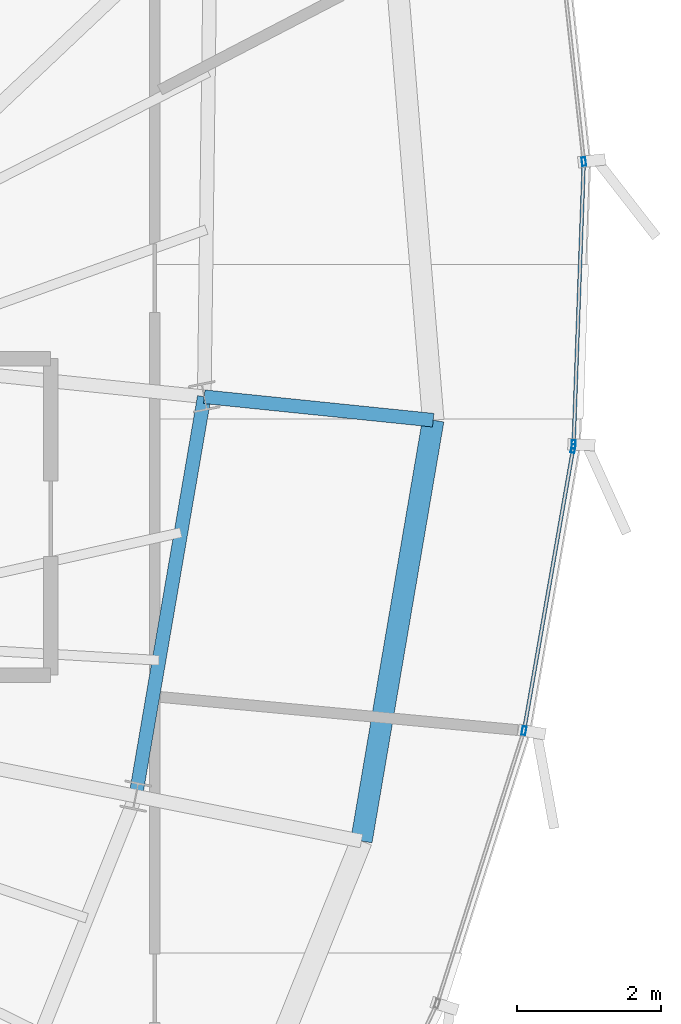
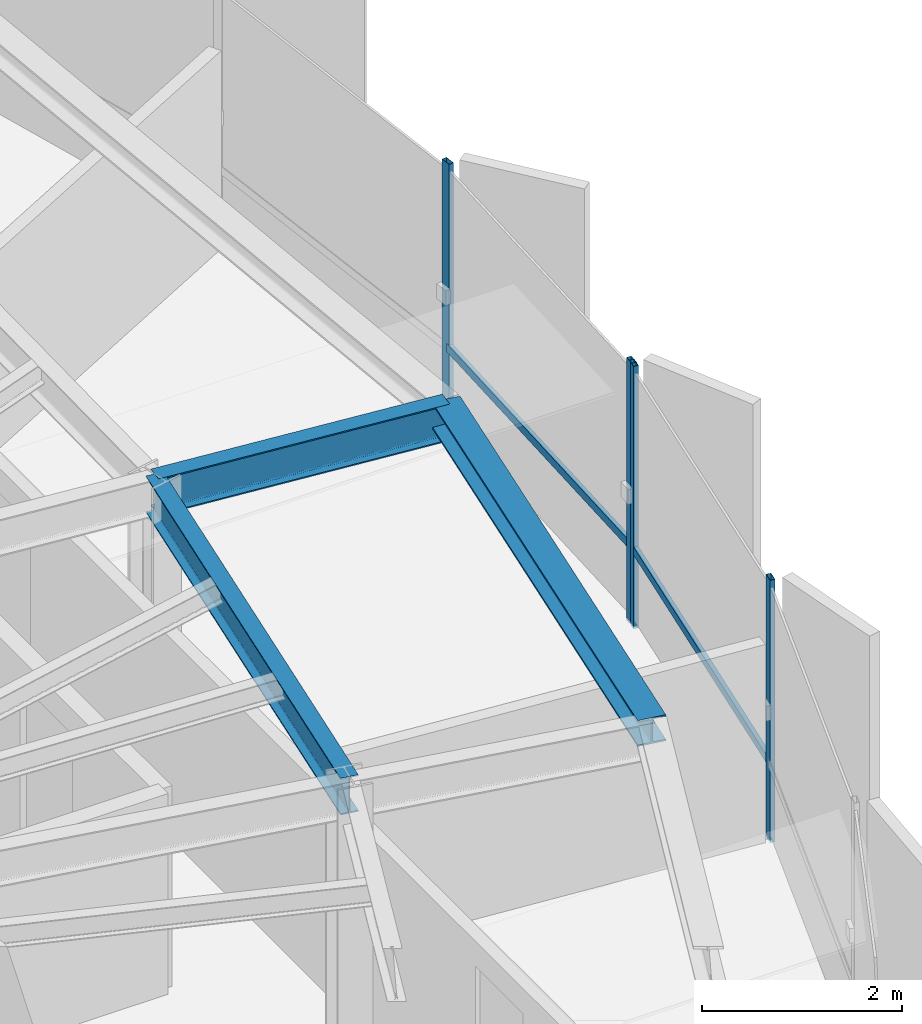
# One storey, part 15 of 31: 6 members, 3 beams, 2 elements without a shape of their own.
"""IFC4 building model written with IfcOpenShell, lengths in metres."""

from ifc_helpers import new_model, si_unit, direction, frame, origin, origin_2d, place, context, subcontext, project, spatial, hollow_rectangle, i_section, extrude, source, transform, mapped, material, layer, layer_set, material_profile, profile_set, type_object, element, aggregate, save


model = new_model("IFC4")

# Units and contexts
model_context = context("Model", 3, precision=1e-05, world=origin(), true_north=direction((0.0, 1.0)))
body_context = subcontext(model_context, "Body", "Model", "MODEL_VIEW")
ifc_project = project(units=[si_unit("LENGTHUNIT", "METRE"), si_unit("AREAUNIT", "SQUARE_METRE"), si_unit("VOLUMEUNIT", "CUBIC_METRE"), si_unit("PLANEANGLEUNIT", "RADIAN"), si_unit("MASSUNIT", "GRAM", prefix="KILO"), si_unit("THERMODYNAMICTEMPERATUREUNIT", "KELVIN")], contexts=[model_context])

# Site, building, storey
site_placement = place(None, origin())
site = spatial("IfcSite", under=ifc_project, at=site_placement, CompositionType="ELEMENT")
building_placement = place(site_placement, origin())
building = spatial("IfcBuilding", under=site, at=building_placement, Name="Kethvar Cultural Tower", CompositionType="ELEMENT")
storey_placement = place(building_placement, frame((0.0, 0.0, 276.699951171875)))
storey = spatial("IfcBuildingStorey", under=building, at=storey_placement, Name="L73", CompositionType="ELEMENT", Elevation=276.699951171875)

# Beams
ifc_material_1 = material(Name="Steel S355J2", Category="steel")
ifc_material_profile_1 = material_profile(ifc_material_1, i_section(OverallWidth=0.18994140625, OverallDepth=0.449951171875, WebThickness=0.009521484375, FlangeThickness=0.0146484375, FilletRadius=0.02099609375, at=origin_2d()), Name="Steel S355J2 — IPE450")
ifc_profile_set_1 = profile_set([ifc_material_profile_1], Name="Steel S355J2 — IPE450")
beam_type_1 = type_object("IfcBeamType", Name="BM-IPE450", PredefinedType="BEAM", material=ifc_profile_set_1)
shared_shape_1 = source(origin(), body_context, "Body", "SweptSolid", [
    extrude(i_section(OverallWidth=0.18994140625, OverallDepth=0.449951171875, WebThickness=0.009521484375, FlangeThickness=0.0146484375, FilletRadius=0.02099609375, at=origin_2d()), origin(), (0.0, 0.0, 1.0), 3.199951171875),
])
beam_1_placement = place(storey_placement, frame((61.237060546875, 30.671630859375, 2.983154296875), z_axis=(0.994784019447, -0.10200369921, 0.0), x_axis=(0.10200369921, 0.994784019447, 0.0)))
element("IfcBeam", 1, at=beam_1_placement, inside=storey, type_object=beam_type_1, Name="L73 Perimeter Cantilever Beam RC-01", PredefinedType="BEAM", context=body_context, shape_type="MappedRepresentation", body=[
    mapped(shared_shape_1, transform((0.0, 0.0, 0.0), scale=1.0)),
])
shared_shape_2 = source(origin(), body_context, "Body", "SweptSolid", [
    extrude(i_section(OverallWidth=0.18994140625, OverallDepth=0.449951171875, WebThickness=0.009521484375, FlangeThickness=0.0146484375, FilletRadius=0.02099609375, at=origin_2d()), origin(), (0.0, 0.0, 1.0), 5.635009765625),
])
beam_2_placement = place(storey_placement, frame((60.28369140625, 25.117919921875, 2.983154296875), z_axis=(0.169188687614, 0.985583678834, 0.0), x_axis=(-0.985583678834, 0.169188687614, 0.0)))
element("IfcBeam", 2, at=beam_2_placement, inside=storey, type_object=beam_type_1, Name="L73 Column Ring Tie Beam CR-16", PredefinedType="BEAM", context=body_context, shape_type="MappedRepresentation", body=[
    mapped(shared_shape_2, transform((0.0, 0.0, 0.0), scale=1.0)),
])
ifc_material_profile_2 = material_profile(ifc_material_1, i_section(OverallWidth=0.300048828125, OverallDepth=0.320068359375, WebThickness=0.011474609375, FlangeThickness=0.0205078125, FilletRadius=0.027099609375, at=origin_2d()), Name="Steel S355J2 — HEB320")
ifc_profile_set_2 = profile_set([ifc_material_profile_2], Name="Steel S355J2 — HEB320")
beam_type_2 = type_object("IfcBeamType", Name="BM-SP320", PredefinedType="SPANDREL", material=ifc_profile_set_2)
shared_shape_3 = source(origin(), body_context, "Body", "SweptSolid", [
    extrude(i_section(OverallWidth=0.300048828125, OverallDepth=0.320068359375, WebThickness=0.011474609375, FlangeThickness=0.0205078125, FilletRadius=0.027099609375, at=origin_2d()), origin(), (0.0, 0.0, 1.0), 5.93603515625),
])
beam_3_placement = place(storey_placement, frame((63.422119140625, 24.49365234375, 3.048095703125), z_axis=(0.16817267321, 0.985757552335, 0.0), x_axis=(-0.985757552335, 0.16817267321, 0.0)))
element("IfcBeam", 3, at=beam_3_placement, inside=storey, type_object=beam_type_2, Name="L73 Perimeter Spandrel Beam SP-16", PredefinedType="SPANDREL", context=body_context, shape_type="MappedRepresentation", body=[
    mapped(shared_shape_3, transform((0.0, 0.0, 0.0), scale=1.0)),
])

# Curtain wall, members
ifc_material_2 = material(Name="Aluminium 6063-T6", Category="aluminium")
ifc_layer = layer(ifc_material_2, 0.179931640625, Name="Aluminium 6063-T6", Category="aluminium")
ifc_layer_set = layer_set([ifc_layer], Name="Aluminium 6063-T6 (180 mm)")
curtain_wall_type = type_object("IfcCurtainWallType", Name="CW-SYS-05-Z56", PredefinedType="NOTDEFINED", material=ifc_layer_set)
curtain_wall_1_placement = place(storey_placement, origin())
curtain_wall_1 = element("IfcCurtainWall", 4, at=curtain_wall_1_placement, inside=storey, type_object=curtain_wall_type, Name="L73 Curtain Wall Run 05", PredefinedType="NOTDEFINED")
ifc_material_profile_3 = material_profile(ifc_material_2, hollow_rectangle(XDim=0.054931640625, YDim=0.1201171875, WallThickness=0.00390625, at=origin_2d()), Name="Aluminium 6063-T6 — RHS120x55x4")
ifc_profile_set_3 = profile_set([ifc_material_profile_3], Name="Aluminium 6063-T6 — RHS120x55x4")
member_type_1 = type_object("IfcMemberType", Name="CW-SYS-05-Z56-MUL", PredefinedType="MULLION", material=ifc_profile_set_3)
shared_shape_4 = source(origin(), body_context, "Body", "SweptSolid", [
    extrude(hollow_rectangle(XDim=0.054931640625, YDim=0.1201171875, WallThickness=0.00390625, at=origin_2d()), origin(), (0.0, 0.0, 1.0), 3.2099609375),
])
member_1_placement = place(storey_placement, frame((65.68310546875, 26.0283203125, 0.0), z_axis=(0.0, 0.0, 1.0), x_axis=(-0.985160295183, 0.171636804895, 0.0)))
member_1 = element("IfcMember", 5, at=member_1_placement, type_object=member_type_1, Name="CW-L73-R05 Mullion 6", PredefinedType="MULLION", context=body_context, shape_type="MappedRepresentation", body=[
    mapped(shared_shape_4, transform((0.0, 0.0, 0.0), scale=1.0)),
])
member_2_placement = place(storey_placement, frame((66.36669921875, 29.951171875, 0.0), z_axis=(0.0, 0.0, 1.0), x_axis=(-0.985160295183, 0.171636804895, 0.0)))
member_2 = element("IfcMember", 6, at=member_2_placement, type_object=member_type_1, Name="CW-L73-R05 Mullion 7", PredefinedType="MULLION", context=body_context, shape_type="MappedRepresentation", body=[
    mapped(shared_shape_4, transform((0.0, 0.0, 0.0), scale=1.0)),
])

curtain_wall_2_placement = place(storey_placement, origin())
curtain_wall_2 = element("IfcCurtainWall", 7, at=curtain_wall_2_placement, inside=storey, type_object=curtain_wall_type, Name="L73 Curtain Wall Run 06", PredefinedType="NOTDEFINED")
member_3_placement = place(storey_placement, frame((66.37255859375, 30.008544921875, 0.0), z_axis=(0.0, 0.0, 1.0), x_axis=(-0.999355613141, 0.035893710914, 0.0)))
member_3 = element("IfcMember", 8, at=member_3_placement, type_object=member_type_1, Name="CW-L73-R06 Mullion 1", PredefinedType="MULLION", context=body_context, shape_type="MappedRepresentation", body=[
    mapped(shared_shape_4, transform((0.0, 0.0, 0.0), scale=1.0)),
])
member_4_placement = place(storey_placement, frame((66.514892578125, 33.940185546875, 0.0), z_axis=(0.0, 0.0, 1.0), x_axis=(-0.994092385188, -0.108537227307, 0.0)))
member_4 = element("IfcMember", 9, at=member_4_placement, type_object=member_type_1, Name="CW-L73-R06 Mullion 2", PredefinedType="MULLION", context=body_context, shape_type="MappedRepresentation", body=[
    mapped(shared_shape_4, transform((0.0, 0.0, 0.0), scale=1.0)),
])
ifc_material_profile_4 = material_profile(ifc_material_2, hollow_rectangle(XDim=0.050048828125, YDim=0.10009765625, WallThickness=0.00390625, at=origin_2d()), Name="Aluminium 6063-T6 — RHS100x50x4")
ifc_profile_set_4 = profile_set([ifc_material_profile_4], Name="Aluminium 6063-T6 — RHS100x50x4")
member_type_2 = type_object("IfcMemberType", Name="CW-SYS-05-Z56-TRN", PredefinedType="USERDEFINED", material=ifc_profile_set_4)
shared_shape_5 = source(origin(), body_context, "Body", "SweptSolid", [
    extrude(hollow_rectangle(XDim=0.050048828125, YDim=0.10009765625, WallThickness=0.00390625, at=origin_2d()), origin(), (0.0, 0.0, 1.0), 3.905029296875),
])
member_5_placement = place(storey_placement, frame((66.372802734375, 30.012451171875, 0.949951171875), z_axis=(0.035885535844, 0.999355906731, 0.0), x_axis=(-0.999355906731, 0.035885535844, 0.0)))
member_5 = element("IfcMember", 10, at=member_5_placement, type_object=member_type_2, Name="CW-L73-R06 Transom 1", ObjectType="TRANSOM", PredefinedType="USERDEFINED", context=body_context, shape_type="MappedRepresentation", body=[
    mapped(shared_shape_5, transform((0.0, 0.0, 0.0), scale=1.0)),
])
aggregate(curtain_wall_2, [member_3, member_4, member_5])

# Member
shared_shape_6 = source(origin(), body_context, "Body", "SweptSolid", [
    extrude(hollow_rectangle(XDim=0.050048828125, YDim=0.10009765625, WallThickness=0.00390625, at=origin_2d()), origin(), (0.0, 0.0, 1.0), 3.9384765625),
])
member_6_placement = place(storey_placement, frame((65.68994140625, 26.0673828125, 0.949951171875), z_axis=(0.171642002754, 0.985159389587, 0.0), x_axis=(-0.985159389587, 0.171642002754, 0.0)))
member_6 = element("IfcMember", 11, at=member_6_placement, type_object=member_type_2, Name="CW-L73-R05 Transom 6", ObjectType="TRANSOM", PredefinedType="USERDEFINED", context=body_context, shape_type="MappedRepresentation", body=[
    mapped(shared_shape_6, transform((0.0, 0.0, 0.0), scale=1.0)),
])

aggregate(curtain_wall_1, [member_1, member_2, member_6])

save(model, "model.ifc")
